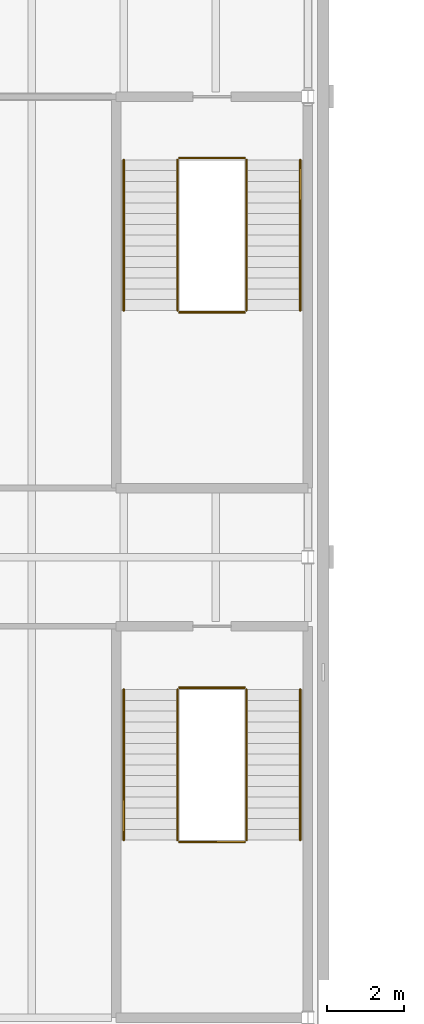
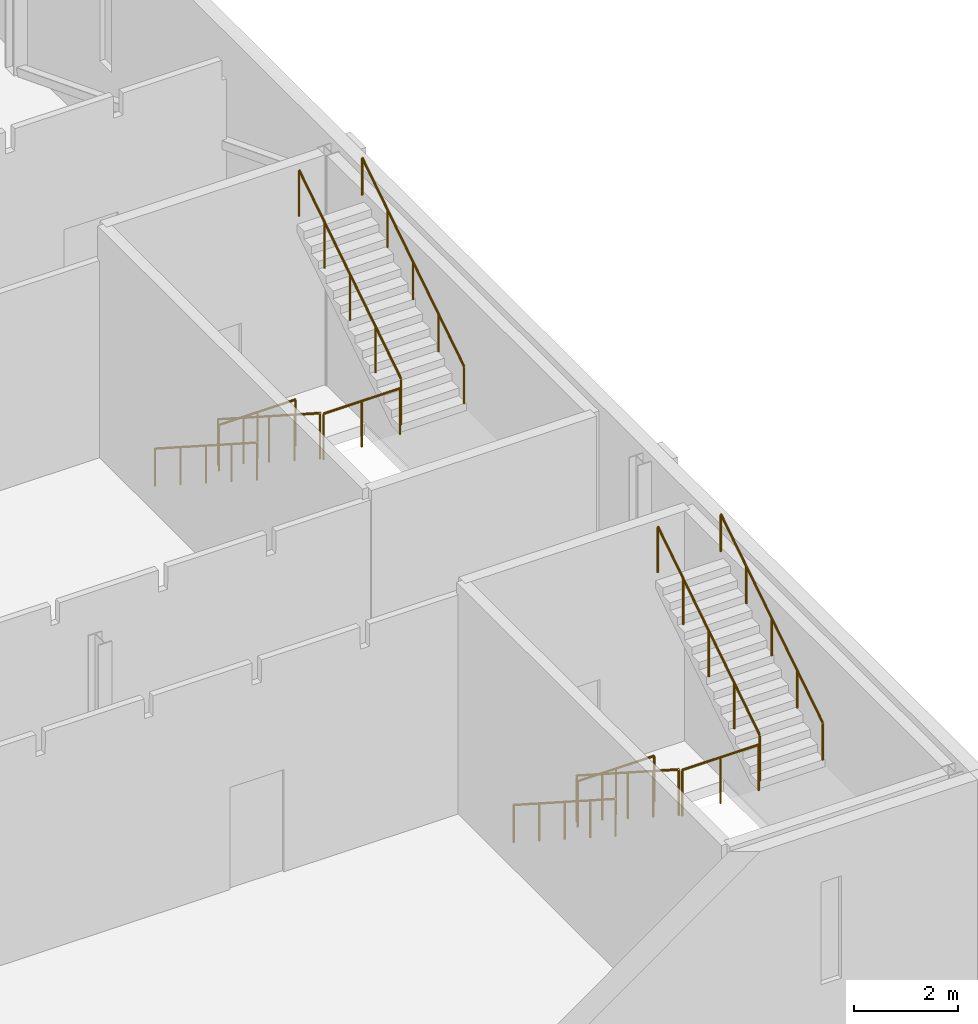
# One storey, part 167 of 170: 12 railings.
"""IFC4 building model written with IfcOpenShell, lengths in metres."""

from ifc_helpers import new_model, si_unit, direction, frame, origin, origin_2d, place, context, subcontext, project, spatial, circle, extrude, material, type_object, element, save


model = new_model("IFC4")

# Units and contexts
model_context = context("Model", 3, precision=1e-05, world=origin(), true_north=direction((0.0, 1.0)))
body_context = subcontext(model_context, "Body", "Model", "MODEL_VIEW")
ifc_project = project(units=[si_unit("LENGTHUNIT", "METRE"), si_unit("AREAUNIT", "SQUARE_METRE"), si_unit("VOLUMEUNIT", "CUBIC_METRE"), si_unit("PLANEANGLEUNIT", "RADIAN"), si_unit("MASSUNIT", "GRAM", prefix="KILO")], contexts=[model_context])

# Site, building, storey
site_placement = place(None, origin())
site = spatial("IfcSite", under=ifc_project, at=site_placement, CompositionType="ELEMENT")
building_placement = place(site_placement, origin())
building = spatial("IfcBuilding", under=site, at=building_placement, Name="Ravi Spectrum Wholesale Market", CompositionType="ELEMENT")
storey_placement = place(building_placement, frame((0.0, 0.0, 5.39990234375)))
storey = spatial("IfcBuildingStorey", under=building, at=storey_placement, Name="L01", CompositionType="ELEMENT", Elevation=5.39990234375)

# Railings
ifc_material_1 = material(Name="Steel S355", Category="steel")
railing_type_1 = type_object("IfcRailingType", Name="Guard 1100", PredefinedType="GUARDRAIL", material=ifc_material_1)
railing_1_placement = place(storey_placement, frame((278.60009765625, 40.35009765625, 0.18017578125)))
element("IfcRailing", 1, at=railing_1_placement, inside=storey, type_object=railing_type_1, Name="L01 S-CS-2 stair guard 1", PredefinedType="GUARDRAIL", context=body_context, shape_type="SweptSolid", body=[
    extrude(circle(Radius=0.02392578125, at=origin_2d()), frame((0.0, 0.0, 1.076171875), z_axis=(0.0, -0.841186985886, 0.540744352514), x_axis=(1.0, 0.0, 0.0)), (0.0, 0.0, 1.0), 4.660400390625),
    extrude(circle(Radius=0.02099609375, at=origin_2d()), origin(), (0.0, 0.0, 1.0), 1.052001953125),
    extrude(circle(Radius=0.02099609375, at=origin_2d()), frame((0.0, -0.97998046875, 0.6298828125)), (0.0, 0.0, 1.0), 1.052001953125),
    extrude(circle(Radius=0.02099609375, at=origin_2d()), frame((0.0, -1.9599609375, 1.260009765625)), (0.0, 0.0, 1.0), 1.052001953125),
    extrude(circle(Radius=0.02099609375, at=origin_2d()), frame((0.0, -2.940185546875, 1.89013671875)), (0.0, 0.0, 1.0), 1.052001953125),
    extrude(circle(Radius=0.02099609375, at=origin_2d()), frame((0.0, -3.920166015625, 2.52001953125)), (0.0, 0.0, 1.0), 1.052001953125),
])
railing_2_placement = place(storey_placement, frame((278.64990234375, 36.3798828125, 2.7001953125)))
element("IfcRailing", 2, at=railing_2_placement, inside=storey, type_object=railing_type_1, Name="L01 S-CS-2 stair guard 2", PredefinedType="GUARDRAIL", context=body_context, shape_type="SweptSolid", body=[
    extrude(circle(Radius=0.02392578125, at=origin_2d()), frame((0.0, 0.0, 1.076171875), z_axis=(1.0, 0.0, 0.0), x_axis=(0.0, 1.0, 0.0)), (0.0, 0.0, 1.0), 1.7001953125),
    extrude(circle(Radius=0.02099609375, at=origin_2d()), origin(), (0.0, 0.0, 1.0), 1.052001953125),
    extrude(circle(Radius=0.02099609375, at=origin_2d()), frame((0.85009765625, 0.0, 0.0)), (0.0, 0.0, 1.0), 1.052001953125),
    extrude(circle(Radius=0.02099609375, at=origin_2d()), frame((1.7001953125, 0.0, 0.0)), (0.0, 0.0, 1.0), 1.052001953125),
])
railing_3_placement = place(storey_placement, frame((280.39990234375, 36.429931640625, 2.880126953125)))
element("IfcRailing", 3, at=railing_3_placement, inside=storey, type_object=railing_type_1, Name="L01 S-CS-2 stair guard 3", PredefinedType="GUARDRAIL", context=body_context, shape_type="SweptSolid", body=[
    extrude(circle(Radius=0.02392578125, at=origin_2d()), frame((0.0, 0.0, 1.076171875), z_axis=(0.0, 0.841186985886, 0.540744352514), x_axis=(-1.0, 0.0, 0.0)), (0.0, 0.0, 1.0), 4.660400390625),
    extrude(circle(Radius=0.02099609375, at=origin_2d()), origin(), (0.0, 0.0, 1.0), 1.052001953125),
    extrude(circle(Radius=0.02099609375, at=origin_2d()), frame((0.0, 0.97998046875, 0.6298828125)), (0.0, 0.0, 1.0), 1.052001953125),
    extrude(circle(Radius=0.02099609375, at=origin_2d()), frame((0.0, 1.9599609375, 1.260009765625)), (0.0, 0.0, 1.0), 1.052001953125),
    extrude(circle(Radius=0.02099609375, at=origin_2d()), frame((0.0, 2.940185546875, 1.89013671875)), (0.0, 0.0, 1.0), 1.052001953125),
    extrude(circle(Radius=0.02099609375, at=origin_2d()), frame((0.0, 3.920166015625, 2.52001953125)), (0.0, 0.0, 1.0), 1.052001953125),
])
railing_4_placement = place(storey_placement, frame((278.64990234375, 40.39990234375, 0.0)))
element("IfcRailing", 4, at=railing_4_placement, inside=storey, type_object=railing_type_1, Name="L01 S-CS-2 stair guard 4", PredefinedType="GUARDRAIL", context=body_context, shape_type="SweptSolid", body=[
    extrude(circle(Radius=0.02392578125, at=origin_2d()), frame((0.0, 0.0, 1.076171875), z_axis=(1.0, 0.0, 0.0), x_axis=(0.0, 1.0, 0.0)), (0.0, 0.0, 1.0), 1.7001953125),
    extrude(circle(Radius=0.02099609375, at=origin_2d()), origin(), (0.0, 0.0, 1.0), 1.052001953125),
    extrude(circle(Radius=0.02099609375, at=origin_2d()), frame((0.85009765625, 0.0, 0.0)), (0.0, 0.0, 1.0), 1.052001953125),
    extrude(circle(Radius=0.02099609375, at=origin_2d()), frame((1.7001953125, 0.0, 0.0)), (0.0, 0.0, 1.0), 1.052001953125),
])
railing_5_placement = place(storey_placement, frame((278.60009765625, 26.550048828125, 0.18017578125)))
element("IfcRailing", 5, at=railing_5_placement, inside=storey, type_object=railing_type_1, Name="L01 S-CS-7 stair guard 1", PredefinedType="GUARDRAIL", context=body_context, shape_type="SweptSolid", body=[
    extrude(circle(Radius=0.02392578125, at=origin_2d()), frame((0.0, 0.0, 1.076171875), z_axis=(0.0, -0.841186985886, 0.540744352514), x_axis=(1.0, 0.0, 0.0)), (0.0, 0.0, 1.0), 4.660400390625),
    extrude(circle(Radius=0.02099609375, at=origin_2d()), origin(), (0.0, 0.0, 1.0), 1.052001953125),
    extrude(circle(Radius=0.02099609375, at=origin_2d()), frame((0.0, -0.97998046875, 0.6298828125)), (0.0, 0.0, 1.0), 1.052001953125),
    extrude(circle(Radius=0.02099609375, at=origin_2d()), frame((0.0, -1.9599609375, 1.260009765625)), (0.0, 0.0, 1.0), 1.052001953125),
    extrude(circle(Radius=0.02099609375, at=origin_2d()), frame((0.0, -2.940185546875, 1.89013671875)), (0.0, 0.0, 1.0), 1.052001953125),
    extrude(circle(Radius=0.02099609375, at=origin_2d()), frame((0.0, -3.920166015625, 2.52001953125)), (0.0, 0.0, 1.0), 1.052001953125),
])
railing_6_placement = place(storey_placement, frame((278.64990234375, 22.580078125, 2.7001953125)))
element("IfcRailing", 6, at=railing_6_placement, inside=storey, type_object=railing_type_1, Name="L01 S-CS-7 stair guard 2", PredefinedType="GUARDRAIL", context=body_context, shape_type="SweptSolid", body=[
    extrude(circle(Radius=0.02392578125, at=origin_2d()), frame((0.0, 0.0, 1.076171875), z_axis=(1.0, 0.0, 0.0), x_axis=(0.0, 1.0, 0.0)), (0.0, 0.0, 1.0), 1.7001953125),
    extrude(circle(Radius=0.02099609375, at=origin_2d()), origin(), (0.0, 0.0, 1.0), 1.052001953125),
    extrude(circle(Radius=0.02099609375, at=origin_2d()), frame((0.85009765625, 0.0, 0.0)), (0.0, 0.0, 1.0), 1.052001953125),
    extrude(circle(Radius=0.02099609375, at=origin_2d()), frame((1.7001953125, 0.0, 0.0)), (0.0, 0.0, 1.0), 1.052001953125),
])
railing_7_placement = place(storey_placement, frame((280.39990234375, 22.6298828125, 2.880126953125)))
element("IfcRailing", 7, at=railing_7_placement, inside=storey, type_object=railing_type_1, Name="L01 S-CS-7 stair guard 3", PredefinedType="GUARDRAIL", context=body_context, shape_type="SweptSolid", body=[
    extrude(circle(Radius=0.02392578125, at=origin_2d()), frame((0.0, 0.0, 1.076171875), z_axis=(0.0, 0.841186985886, 0.540744352514), x_axis=(-1.0, 0.0, 0.0)), (0.0, 0.0, 1.0), 4.660400390625),
    extrude(circle(Radius=0.02099609375, at=origin_2d()), origin(), (0.0, 0.0, 1.0), 1.052001953125),
    extrude(circle(Radius=0.02099609375, at=origin_2d()), frame((0.0, 0.97998046875, 0.6298828125)), (0.0, 0.0, 1.0), 1.052001953125),
    extrude(circle(Radius=0.02099609375, at=origin_2d()), frame((0.0, 1.9599609375, 1.260009765625)), (0.0, 0.0, 1.0), 1.052001953125),
    extrude(circle(Radius=0.02099609375, at=origin_2d()), frame((0.0, 2.940185546875, 1.89013671875)), (0.0, 0.0, 1.0), 1.052001953125),
    extrude(circle(Radius=0.02099609375, at=origin_2d()), frame((0.0, 3.920166015625, 2.52001953125)), (0.0, 0.0, 1.0), 1.052001953125),
])
railing_8_placement = place(storey_placement, frame((278.64990234375, 26.60009765625, 0.0)))
element("IfcRailing", 8, at=railing_8_placement, inside=storey, type_object=railing_type_1, Name="L01 S-CS-7 stair guard 4", PredefinedType="GUARDRAIL", context=body_context, shape_type="SweptSolid", body=[
    extrude(circle(Radius=0.02392578125, at=origin_2d()), frame((0.0, 0.0, 1.076171875), z_axis=(1.0, 0.0, 0.0), x_axis=(0.0, 1.0, 0.0)), (0.0, 0.0, 1.0), 1.7001953125),
    extrude(circle(Radius=0.02099609375, at=origin_2d()), origin(), (0.0, 0.0, 1.0), 1.052001953125),
    extrude(circle(Radius=0.02099609375, at=origin_2d()), frame((0.85009765625, 0.0, 0.0)), (0.0, 0.0, 1.0), 1.052001953125),
    extrude(circle(Radius=0.02099609375, at=origin_2d()), frame((1.7001953125, 0.0, 0.0)), (0.0, 0.0, 1.0), 1.052001953125),
])
ifc_material_2 = material(Name="Stainless steel", Category="steel")
railing_type_2 = type_object("IfcRailingType", Name="Handrail 900", PredefinedType="HANDRAIL", material=ifc_material_2)
railing_9_placement = place(storey_placement, frame((277.199951171875, 40.35009765625, 0.18017578125)))
element("IfcRailing", 9, at=railing_9_placement, inside=storey, type_object=railing_type_2, Name="L01 S-CS-2 stair handrail 1", PredefinedType="HANDRAIL", context=body_context, shape_type="SweptSolid", body=[
    extrude(circle(Radius=0.02392578125, at=origin_2d()), frame((0.0, 0.0, 0.8759765625), z_axis=(0.0, -0.841186985886, 0.540744352514), x_axis=(1.0, 0.0, 0.0)), (0.0, 0.0, 1.0), 4.660400390625),
    extrude(circle(Radius=0.02099609375, at=origin_2d()), origin(), (0.0, 0.0, 1.0), 0.851806640625),
    extrude(circle(Radius=0.02099609375, at=origin_2d()), frame((0.0, -0.97998046875, 0.6298828125)), (0.0, 0.0, 1.0), 0.851806640625),
    extrude(circle(Radius=0.02099609375, at=origin_2d()), frame((0.0, -1.9599609375, 1.260009765625)), (0.0, 0.0, 1.0), 0.851806640625),
    extrude(circle(Radius=0.02099609375, at=origin_2d()), frame((0.0, -2.940185546875, 1.89013671875)), (0.0, 0.0, 1.0), 0.851806640625),
    extrude(circle(Radius=0.02099609375, at=origin_2d()), frame((0.0, -3.920166015625, 2.52001953125)), (0.0, 0.0, 1.0), 0.851806640625),
])
railing_10_placement = place(storey_placement, frame((281.800048828125, 36.429931640625, 2.880126953125)))
element("IfcRailing", 10, at=railing_10_placement, inside=storey, type_object=railing_type_2, Name="L01 S-CS-2 stair handrail 2", PredefinedType="HANDRAIL", context=body_context, shape_type="SweptSolid", body=[
    extrude(circle(Radius=0.02392578125, at=origin_2d()), frame((0.0, 0.0, 0.8759765625), z_axis=(0.0, 0.841186985886, 0.540744352514), x_axis=(-1.0, 0.0, 0.0)), (0.0, 0.0, 1.0), 4.660400390625),
    extrude(circle(Radius=0.02099609375, at=origin_2d()), origin(), (0.0, 0.0, 1.0), 0.851806640625),
    extrude(circle(Radius=0.02099609375, at=origin_2d()), frame((0.0, 0.97998046875, 0.6298828125)), (0.0, 0.0, 1.0), 0.851806640625),
    extrude(circle(Radius=0.02099609375, at=origin_2d()), frame((0.0, 1.9599609375, 1.260009765625)), (0.0, 0.0, 1.0), 0.851806640625),
    extrude(circle(Radius=0.02099609375, at=origin_2d()), frame((0.0, 2.940185546875, 1.89013671875)), (0.0, 0.0, 1.0), 0.851806640625),
    extrude(circle(Radius=0.02099609375, at=origin_2d()), frame((0.0, 3.920166015625, 2.52001953125)), (0.0, 0.0, 1.0), 0.851806640625),
])
railing_11_placement = place(storey_placement, frame((277.199951171875, 26.550048828125, 0.18017578125)))
element("IfcRailing", 11, at=railing_11_placement, inside=storey, type_object=railing_type_2, Name="L01 S-CS-7 stair handrail 1", PredefinedType="HANDRAIL", context=body_context, shape_type="SweptSolid", body=[
    extrude(circle(Radius=0.02392578125, at=origin_2d()), frame((0.0, 0.0, 0.8759765625), z_axis=(0.0, -0.841186985886, 0.540744352514), x_axis=(1.0, 0.0, 0.0)), (0.0, 0.0, 1.0), 4.660400390625),
    extrude(circle(Radius=0.02099609375, at=origin_2d()), origin(), (0.0, 0.0, 1.0), 0.851806640625),
    extrude(circle(Radius=0.02099609375, at=origin_2d()), frame((0.0, -0.97998046875, 0.6298828125)), (0.0, 0.0, 1.0), 0.851806640625),
    extrude(circle(Radius=0.02099609375, at=origin_2d()), frame((0.0, -1.9599609375, 1.260009765625)), (0.0, 0.0, 1.0), 0.851806640625),
    extrude(circle(Radius=0.02099609375, at=origin_2d()), frame((0.0, -2.940185546875, 1.89013671875)), (0.0, 0.0, 1.0), 0.851806640625),
    extrude(circle(Radius=0.02099609375, at=origin_2d()), frame((0.0, -3.920166015625, 2.52001953125)), (0.0, 0.0, 1.0), 0.851806640625),
])
railing_12_placement = place(storey_placement, frame((281.800048828125, 22.6298828125, 2.880126953125)))
element("IfcRailing", 12, at=railing_12_placement, inside=storey, type_object=railing_type_2, Name="L01 S-CS-7 stair handrail 2", PredefinedType="HANDRAIL", context=body_context, shape_type="SweptSolid", body=[
    extrude(circle(Radius=0.02392578125, at=origin_2d()), frame((0.0, 0.0, 0.8759765625), z_axis=(0.0, 0.841186985886, 0.540744352514), x_axis=(-1.0, 0.0, 0.0)), (0.0, 0.0, 1.0), 4.660400390625),
    extrude(circle(Radius=0.02099609375, at=origin_2d()), origin(), (0.0, 0.0, 1.0), 0.851806640625),
    extrude(circle(Radius=0.02099609375, at=origin_2d()), frame((0.0, 0.97998046875, 0.6298828125)), (0.0, 0.0, 1.0), 0.851806640625),
    extrude(circle(Radius=0.02099609375, at=origin_2d()), frame((0.0, 1.9599609375, 1.260009765625)), (0.0, 0.0, 1.0), 0.851806640625),
    extrude(circle(Radius=0.02099609375, at=origin_2d()), frame((0.0, 2.940185546875, 1.89013671875)), (0.0, 0.0, 1.0), 0.851806640625),
    extrude(circle(Radius=0.02099609375, at=origin_2d()), frame((0.0, 3.920166015625, 2.52001953125)), (0.0, 0.0, 1.0), 0.851806640625),
])

save(model, "model.ifc")
